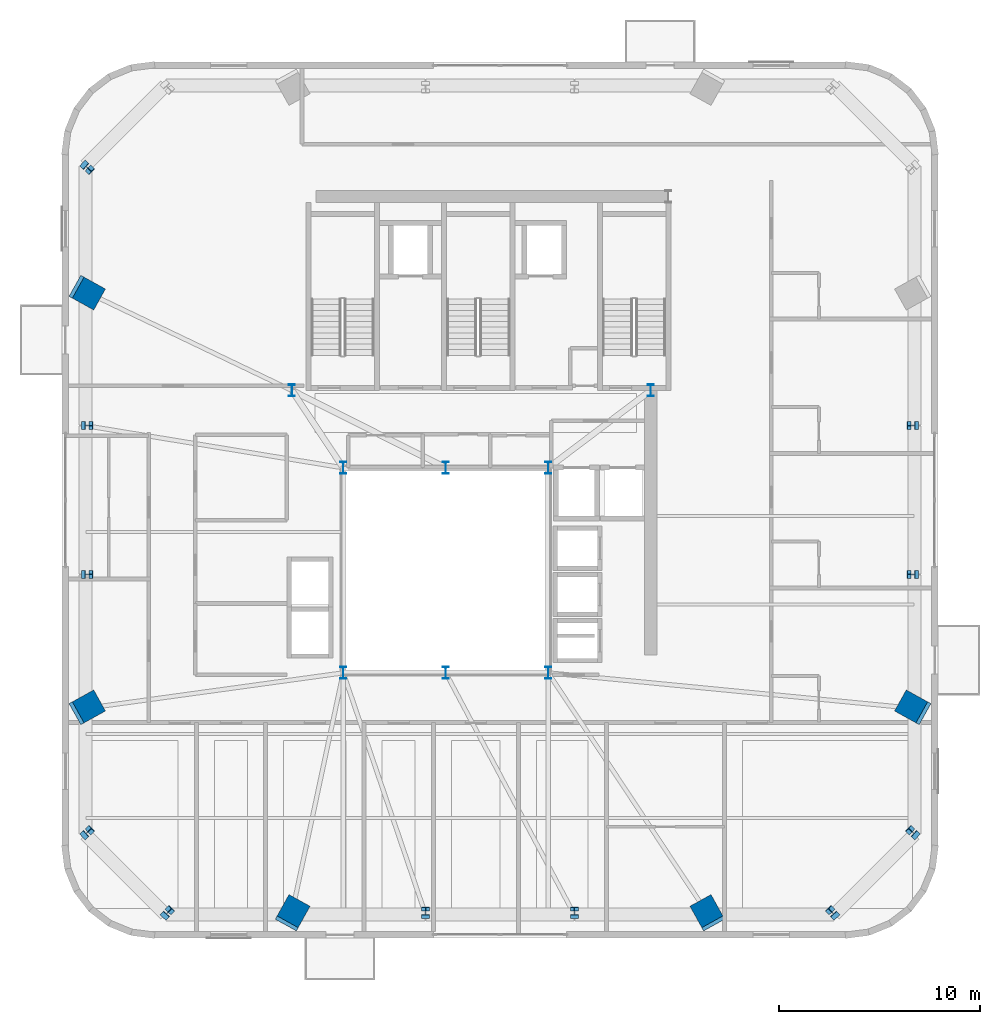
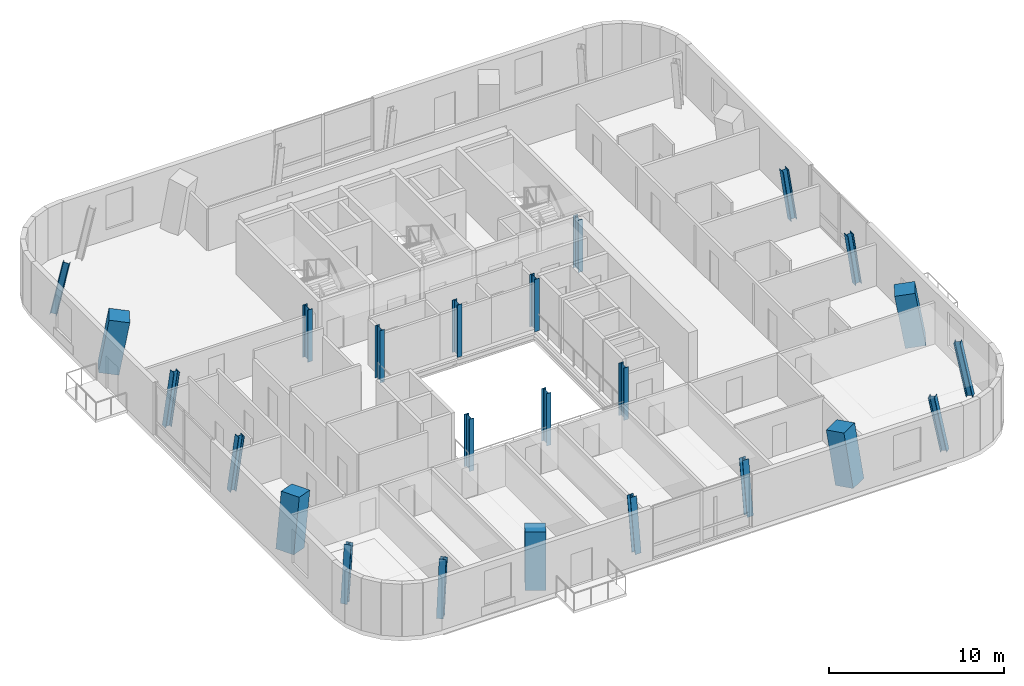
# One storey, part 1 of 14: 24 columns.
"""IFC4 building model written with IfcOpenShell, lengths in metres."""

from ifc_helpers import new_model, si_unit, direction, frame, origin, origin_2d, place, context, subcontext, project, spatial, rectangle, i_section, extrude, source, transform, mapped, material, material_profile, profile_set, type_object, element, save


model = new_model("IFC4")

# Units and contexts
model_context = context("Model", 3, precision=1e-05, world=origin(), true_north=direction((0.0, 1.0)))
body_context = subcontext(model_context, "Body", "Model", "MODEL_VIEW")
ifc_project = project(units=[si_unit("LENGTHUNIT", "METRE"), si_unit("AREAUNIT", "SQUARE_METRE"), si_unit("VOLUMEUNIT", "CUBIC_METRE"), si_unit("PLANEANGLEUNIT", "RADIAN"), si_unit("MASSUNIT", "GRAM", prefix="KILO")], contexts=[model_context])

# Site, building, storey
site_placement = place(None, origin())
site = spatial("IfcSite", under=ifc_project, at=site_placement, CompositionType="ELEMENT")
building_placement = place(site_placement, origin())
building = spatial("IfcBuilding", under=site, at=building_placement, Name="Vardaveli Station Tower", CompositionType="ELEMENT")
storey_placement = place(building_placement, frame((0.0, 0.0, 266.39990234375)))
storey = spatial("IfcBuildingStorey", under=building, at=storey_placement, Name="L68", CompositionType="ELEMENT", Elevation=266.39990234375)

# Columns
ifc_material_1 = material(Name="Structural steel S460M", Category="steel")
ifc_material_profile_1 = material_profile(ifc_material_1, i_section(OverallWidth=0.300048828125, OverallDepth=0.60009765625, WebThickness=0.015380859375, FlangeThickness=0.030029296875, FilletRadius=0.027099609375, at=origin_2d()), Name="HEB 600")
ifc_profile_set_1 = profile_set([ifc_material_profile_1], Name="Structural steel S460M")
column_type_1 = type_object("IfcColumnType", Name="COL-HEB600", PredefinedType="COLUMN", material=ifc_profile_set_1)
shared_shape_1 = source(origin(), body_context, "Body", "SweptSolid", [
    extrude(i_section(OverallWidth=0.300048828125, OverallDepth=0.60009765625, WebThickness=0.015380859375, FlangeThickness=0.030029296875, FilletRadius=0.027099609375, at=origin_2d()), origin(), (0.0, 0.0, 1.0), 3.650146484375),
])
for number, where, z_axis, x_axis, name in (
    (1, (31.199951171875, 16.60009765625, 0.0), (0.0, 0.0, 1.0), (1.0, 0.0, 0.0), "COL-L68-AC1"),
    (2, (36.300048828125, 16.60009765625, 0.0), (0.0, 0.0, 1.0), (1.0, 0.0, 0.0), "COL-L68-AC2"),
    (3, (41.39990234375, 16.60009765625, 0.0), (0.0, 0.0, 1.0), (1.0, 0.0, 0.0), "COL-L68-AC3"),
    (4, (41.39990234375, 26.800048828125, 0.0), (0.0, 0.0, 1.0), (1.0, 0.0, 0.0), "COL-L68-AC4"),
    (5, (36.300048828125, 26.800048828125, 0.0), (0.0, 0.0, 1.0), (1.0, 0.0, 0.0), "COL-L68-AC5"),
    (6, (31.199951171875, 26.800048828125, 0.0), (0.0, 0.0, 1.0), (1.0, 0.0, 0.0), "COL-L68-AC6"),
    (7, (28.64990234375, 30.64990234375, 0.0), (0.0, 0.0, 1.0), (1.0, 0.0, 0.0), "COL-L68-CC1"),
    (8, (46.5, 30.64990234375, 0.0), (0.0, 0.0, 1.0), (1.0, 0.0, 0.0), "COL-L68-CC2"),
):
    element("IfcColumn", number, at=place(storey_placement, frame(where, z_axis=z_axis, x_axis=x_axis)), inside=storey, type_object=column_type_1, Name=name, PredefinedType="COLUMN", context=body_context, shape_type="MappedRepresentation", body=[
        mapped(shared_shape_1, transform((0.0, 0.0, 0.0), scale=1.0)),
    ])
ifc_material_2 = material(Name="Concrete C50/60", Category="concrete")
ifc_material_profile_2 = material_profile(ifc_material_2, rectangle(XDim=1.199951171875, YDim=1.199951171875, at=origin_2d()), Name="MC 1200x1200")
ifc_profile_set_2 = profile_set([ifc_material_profile_2], Name="Concrete C50/60")
column_type_2 = type_object("IfcColumnType", Name="COL-MC-1200", PredefinedType="COLUMN", material=ifc_profile_set_2)
shared_shape_2 = source(origin(), body_context, "Body", "SweptSolid", [
    extrude(rectangle(XDim=1.199951171875, YDim=1.199951171875, at=origin_2d()), origin(), (0.0, 0.0, 1.0), 3.7021484375),
])
for number, where, z_axis, x_axis, name in (
    (9, (28.632080078125, 4.570068359375, 0.0), (0.080983660509, 0.145876105086, 0.985982661458), (-0.874306388121, 0.485374432465, 0.0), "COL-L68-MC1"),
    (10, (49.367919921875, 4.570068359375, 0.0), (-0.080983660509, 0.145876105086, 0.985982661458), (-0.874306388121, -0.485374432465, 0.0), "COL-L68-MC2"),
):
    element("IfcColumn", number, at=place(storey_placement, frame(where, z_axis=z_axis, x_axis=x_axis)), inside=storey, type_object=column_type_2, Name=name, PredefinedType="COLUMN", context=body_context, shape_type="MappedRepresentation", body=[
        mapped(shared_shape_2, transform((0.0, 0.0, 0.0), scale=1.0)),
    ])
shared_shape_3 = source(origin(), body_context, "Body", "SweptSolid", [
    extrude(rectangle(XDim=1.199951171875, YDim=1.199951171875, at=origin_2d()), origin(), (0.0, 0.0, 1.0), 3.701904296875),
])
for number, where, z_axis, x_axis, name in (
    (11, (59.6298828125, 14.83203125, 0.0), (-0.145810780845, 0.081049954617, 0.985986876711), (-0.485844306078, -0.87404537082, 0.0), "COL-L68-MC3"),
    (12, (18.3701171875, 35.568115234375, 0.0), (0.145810780845, -0.081049954617, 0.985986876711), (0.485844306078, 0.87404537082, 0.0), "COL-L68-MC7"),
    (13, (18.3701171875, 14.83203125, 0.0), (0.145810780845, 0.081049954617, 0.985986876711), (-0.485844306078, 0.87404537082, 0.0), "COL-L68-MC8"),
):
    element("IfcColumn", number, at=place(storey_placement, frame(where, z_axis=z_axis, x_axis=x_axis)), inside=storey, type_object=column_type_2, Name=name, PredefinedType="COLUMN", context=body_context, shape_type="MappedRepresentation", body=[
        mapped(shared_shape_3, transform((0.0, 0.0, 0.0), scale=1.0)),
    ])
ifc_material_profile_3 = material_profile(ifc_material_1, i_section(OverallWidth=0.405029296875, OverallDepth=0.403076171875, WebThickness=0.017822265625, FlangeThickness=0.02783203125, FilletRadius=0.014892578125, at=origin_2d()), Name="HD 400x287")
ifc_profile_set_3 = profile_set([ifc_material_profile_3], Name="Structural steel S460M")
column_type_3 = type_object("IfcColumnType", Name="COL-HD287", PredefinedType="COLUMN", material=ifc_profile_set_3)
shared_shape_4 = source(origin(), body_context, "Body", "SweptSolid", [
    extrude(i_section(OverallWidth=0.405029296875, OverallDepth=0.403076171875, WebThickness=0.017822265625, FlangeThickness=0.02783203125, FilletRadius=0.014892578125, at=origin_2d()), origin(), (0.0, 0.0, 1.0), 3.68994140625),
])
for number, where, z_axis, x_axis, name in (
    (14, (35.300048828125, 4.570068359375, 0.0), (0.0, 0.146356824444, 0.989231863588), (-1.0, 0.0, 0.0), "COL-L68-PC02"),
    (15, (42.699951171875, 4.570068359375, 0.0), (0.0, 0.146356824444, 0.989231863588), (-1.0, 0.0, 0.0), "COL-L68-PC03"),
    (16, (59.6298828125, 21.5, 0.0), (-0.146292075848, 0.0, 0.989241440976), (0.0, -1.0, 0.0), "COL-L68-PC06"),
    (17, (59.6298828125, 28.89990234375, 0.0), (-0.146292075848, 0.0, 0.989241440976), (0.0, -1.0, 0.0), "COL-L68-PC07"),
    (18, (18.3701171875, 28.89990234375, 0.0), (0.146292075848, 0.0, 0.989241440976), (0.0, 1.0, 0.0), "COL-L68-PC14"),
    (19, (18.3701171875, 21.5, 0.0), (0.146292075848, 0.0, 0.989241440976), (0.0, 1.0, 0.0), "COL-L68-PC15"),
):
    element("IfcColumn", number, at=place(storey_placement, frame(where, z_axis=z_axis, x_axis=x_axis)), inside=storey, type_object=column_type_3, Name=name, PredefinedType="COLUMN", context=body_context, shape_type="MappedRepresentation", body=[
        mapped(shared_shape_4, transform((0.0, 0.0, 0.0), scale=1.0)),
    ])
shared_shape_5 = source(origin(), body_context, "Body", "SweptSolid", [
    extrude(i_section(OverallWidth=0.405029296875, OverallDepth=0.403076171875, WebThickness=0.017822265625, FlangeThickness=0.02783203125, FilletRadius=0.014892578125, at=origin_2d()), origin(), (0.0, 0.0, 1.0), 3.7236328125),
])
for number, where, z_axis, x_axis, name in (
    (20, (22.3701171875, 4.570068359375, 0.0), (0.134278584433, 0.145031361702, 0.980273005792), (-0.733785173488, 0.679381571114, 0.0), "COL-L68-PC01"),
    (21, (55.6298828125, 4.570068359375, 0.0), (-0.134278584433, 0.145031361702, 0.980273005792), (-0.733785173488, -0.679381571114, 0.0), "COL-L68-PC04"),
    (22, (59.6298828125, 8.570068359375, 0.0), (-0.144967174187, 0.134279861029, 0.980282325318), (-0.679546967836, -0.733632004826, 0.0), "COL-L68-PC05"),
    (23, (18.3701171875, 41.830078125, 0.0), (0.144967174187, -0.134279861029, 0.980282325318), (0.679546967836, 0.733632004826, 0.0), "COL-L68-PC13"),
    (24, (18.3701171875, 8.570068359375, 0.0), (0.144967174187, 0.134279861029, 0.980282325318), (-0.679546967836, 0.733632004826, 0.0), "COL-L68-PC16"),
):
    element("IfcColumn", number, at=place(storey_placement, frame(where, z_axis=z_axis, x_axis=x_axis)), inside=storey, type_object=column_type_3, Name=name, PredefinedType="COLUMN", context=body_context, shape_type="MappedRepresentation", body=[
        mapped(shared_shape_5, transform((0.0, 0.0, 0.0), scale=1.0)),
    ])

save(model, "model.ifc")
